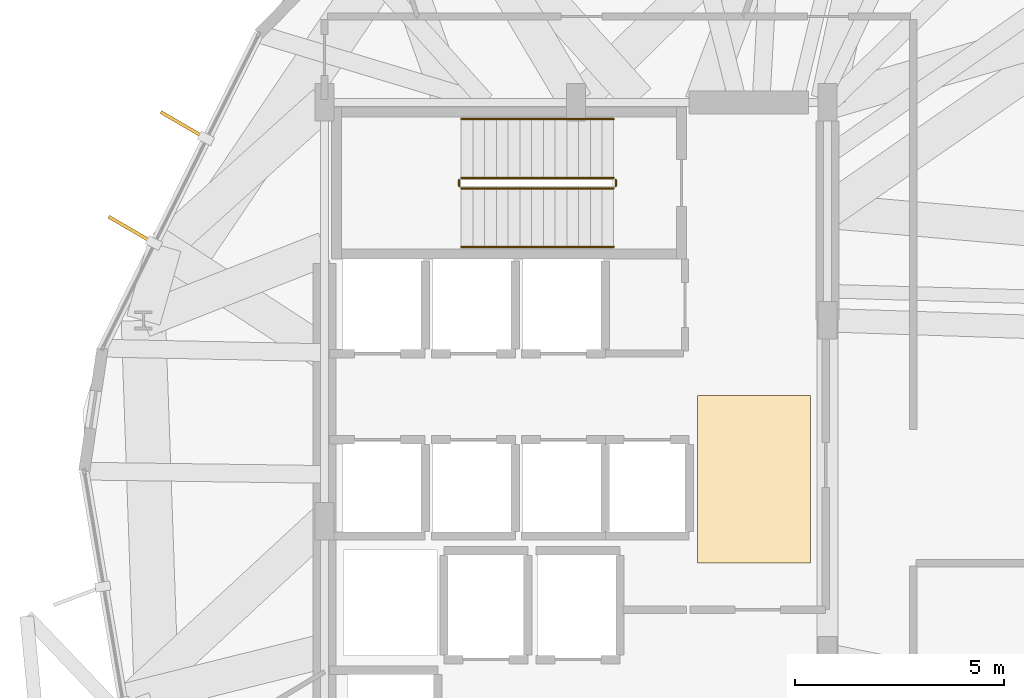
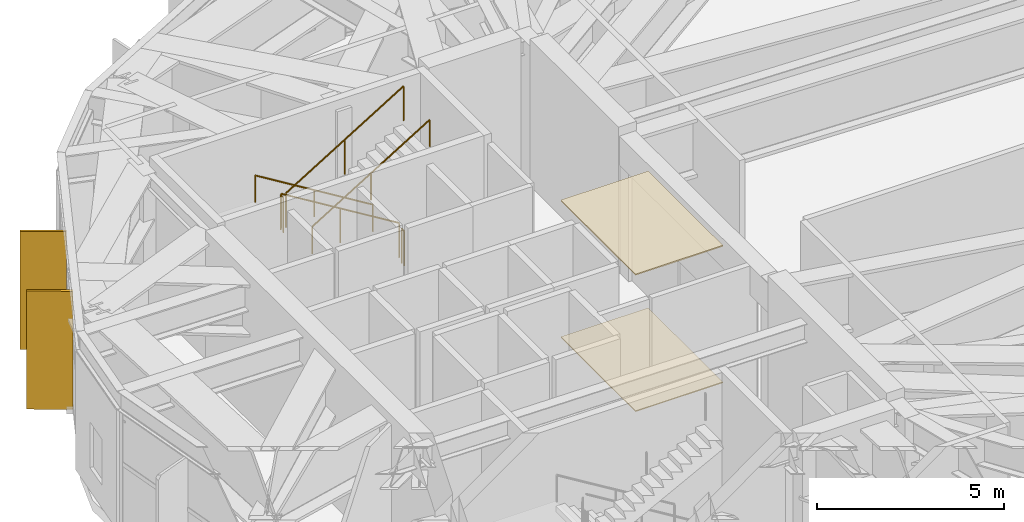
# One storey, part 26 of 27: 6 railings, 2 coverings, 2 shading devices.
"""IFC4 building model written with IfcOpenShell, lengths in metres."""

from ifc_helpers import new_model, si_unit, direction, frame, origin, origin_2d, place, context, subcontext, project, spatial, polyline, rectangle, circle, outline, extrude, material, layer, layer_set, type_object, element, save


model = new_model("IFC4")

# Units and contexts
model_context = context("Model", 3, precision=1e-05, world=origin(), true_north=direction((0.0, 1.0)))
body_context = subcontext(model_context, "Body", "Model", "MODEL_VIEW")
ifc_project = project(units=[si_unit("LENGTHUNIT", "METRE"), si_unit("AREAUNIT", "SQUARE_METRE"), si_unit("VOLUMEUNIT", "CUBIC_METRE"), si_unit("PLANEANGLEUNIT", "RADIAN"), si_unit("MASSUNIT", "GRAM", prefix="KILO")], contexts=[model_context])

# Site, building, storey
site_placement = place(None, origin())
site = spatial("IfcSite", under=ifc_project, at=site_placement, CompositionType="ELEMENT")
building_placement = place(site_placement, origin())
building = spatial("IfcBuilding", under=site, at=building_placement, Name="Soratama Intermodal Tower", CompositionType="ELEMENT")
storey_placement = place(building_placement, frame((0.0, 0.0, 134.199951171875)))
storey = spatial("IfcBuildingStorey", under=building, at=storey_placement, Name="L32", CompositionType="ELEMENT", Elevation=134.199951171875)

# Coverings
ifc_material_1 = material(Name="Perforated mineral acoustic ceiling", Category="concrete")
ifc_layer_1 = layer(ifc_material_1, 0.0400390625)
ifc_layer_set_1 = layer_set([ifc_layer_1], Name="Perforated mineral acoustic ceiling")
covering_type_1 = type_object("IfcCoveringType", Name="CV-CEIL-ACOUSTIC", PredefinedType="CEILING", material=ifc_layer_set_1)
covering_1_placement = place(storey_placement, frame((0.0, 0.0, 4.4599609375)))
element("IfcCovering", 1, at=covering_1_placement, inside=storey, type_object=covering_type_1, Name="L32 Acoustic Ceiling", PredefinedType="CEILING", context=body_context, shape_type="SweptSolid", body=[
    extrude(outline(polyline([(41.5, 24.0), (44.199951171875, 24.0), (44.199951171875, 28.0), (41.5, 28.0), (41.5, 24.0)])), origin(), (0.0, 0.0, 1.0), 0.0400390625),
])
ifc_material_2 = material(Name="Polished Andean stone terrazzo flooring", Category="masonry")
ifc_layer_2 = layer(ifc_material_2, 0.030029296875)
ifc_layer_set_2 = layer_set([ifc_layer_2], Name="Polished Andean stone terrazzo flooring")
covering_type_2 = type_object("IfcCoveringType", Name="CV-FLOR-TERRAZZO", PredefinedType="FLOORING", material=ifc_layer_set_2)
covering_2_placement = place(storey_placement, origin())
element("IfcCovering", 2, at=covering_2_placement, inside=storey, type_object=covering_type_2, Name="L32 Lobby Terrazzo Flooring", PredefinedType="FLOORING", context=body_context, shape_type="SweptSolid", body=[
    extrude(outline(polyline([(41.5, 24.0), (44.199951171875, 24.0), (44.199951171875, 28.0), (41.5, 28.0), (41.5, 24.0)])), origin(), (0.0, 0.0, 1.0), 0.030029296875),
])

# Railings
ifc_material_3 = material(Name="Painted steel stair guardrail", Category="steel")
railing_type_1 = type_object("IfcRailingType", Name="RL-STAIR-GUARD", PredefinedType="GUARDRAIL", material=ifc_material_3)
railing_1_placement = place(storey_placement, frame((39.5, 33.199951171875, 0.17138671875)))
element("IfcRailing", 3, at=railing_1_placement, inside=storey, type_object=railing_type_1, Name="L32 ST-2 stair guard 1", PredefinedType="GUARDRAIL", context=body_context, shape_type="SweptSolid", body=[
    extrude(circle(Radius=0.02392578125, at=origin_2d()), frame((0.0, 0.0, 1.1259765625), z_axis=(-0.852824790078, 0.0, 0.522197163366), x_axis=(0.0, -1.0, 0.0)), (0.0, 0.0, 1.0), 4.26806640625),
    extrude(circle(Radius=0.02099609375, at=origin_2d()), origin(), (0.0, 0.0, 1.0), 1.101806640625),
    extrude(circle(Radius=0.02099609375, at=origin_2d()), frame((-1.81982421875, 0.0, 1.1142578125)), (0.0, 0.0, 1.0), 1.101806640625),
    extrude(circle(Radius=0.02099609375, at=origin_2d()), frame((-3.639892578125, 0.0, 2.228759765625)), (0.0, 0.0, 1.0), 1.101806640625),
])
railing_2_placement = place(storey_placement, frame((35.81005859375, 33.14990234375, 2.400146484375)))
element("IfcRailing", 4, at=railing_2_placement, inside=storey, type_object=railing_type_1, Name="L32 ST-2 stair guard 2", PredefinedType="GUARDRAIL", context=body_context, shape_type="SweptSolid", body=[
    extrude(circle(Radius=0.02392578125, at=origin_2d()), frame((0.0, 0.0, 1.1259765625), z_axis=(0.0, -1.0, 0.0), x_axis=(1.0, 0.0, 0.0)), (0.0, 0.0, 1.0), 0.14990234375),
    extrude(circle(Radius=0.02099609375, at=origin_2d()), origin(), (0.0, 0.0, 1.0), 1.101806640625),
    extrude(circle(Radius=0.02099609375, at=origin_2d()), frame((0.0, -0.14990234375, 0.0)), (0.0, 0.0, 1.0), 1.101806640625),
])
railing_3_placement = place(storey_placement, frame((35.860107421875, 32.949951171875, 2.571533203125)))
element("IfcRailing", 5, at=railing_3_placement, inside=storey, type_object=railing_type_1, Name="L32 ST-2 stair guard 3", PredefinedType="GUARDRAIL", context=body_context, shape_type="SweptSolid", body=[
    extrude(circle(Radius=0.02392578125, at=origin_2d()), frame((0.0, 0.0, 1.1259765625), z_axis=(0.852850264322, 0.0, 0.5221555579), x_axis=(0.0, 1.0, 0.0)), (0.0, 0.0, 1.0), 4.267822265625),
    extrude(circle(Radius=0.02099609375, at=origin_2d()), origin(), (0.0, 0.0, 1.0), 1.101806640625),
    extrude(circle(Radius=0.02099609375, at=origin_2d()), frame((1.81982421875, 0.0, 1.1142578125)), (0.0, 0.0, 1.0), 1.101806640625),
    extrude(circle(Radius=0.02099609375, at=origin_2d()), frame((3.639892578125, 0.0, 2.228515625)), (0.0, 0.0, 1.0), 1.101806640625),
])
railing_4_placement = place(storey_placement, frame((39.550048828125, 33.14990234375, 0.0)))
element("IfcRailing", 6, at=railing_4_placement, inside=storey, type_object=railing_type_1, Name="L32 ST-2 stair guard 4", PredefinedType="GUARDRAIL", context=body_context, shape_type="SweptSolid", body=[
    extrude(circle(Radius=0.02392578125, at=origin_2d()), frame((0.0, 0.0, 1.1259765625), z_axis=(0.0, -1.0, 0.0), x_axis=(1.0, 0.0, 0.0)), (0.0, 0.0, 1.0), 0.14990234375),
    extrude(circle(Radius=0.02099609375, at=origin_2d()), origin(), (0.0, 0.0, 1.0), 1.101806640625),
    extrude(circle(Radius=0.02099609375, at=origin_2d()), frame((0.0, -0.14990234375, 0.0)), (0.0, 0.0, 1.0), 1.101806640625),
])
ifc_material_4 = material(Name="Brushed stainless steel handrail", Category="steel")
railing_type_2 = type_object("IfcRailingType", Name="RL-STAIR-HAND", PredefinedType="HANDRAIL", material=ifc_material_4)
railing_5_placement = place(storey_placement, frame((39.5, 34.60009765625, 0.17138671875)))
element("IfcRailing", 7, at=railing_5_placement, inside=storey, type_object=railing_type_2, Name="L32 ST-2 stair handrail 1", PredefinedType="HANDRAIL", context=body_context, shape_type="SweptSolid", body=[
    extrude(circle(Radius=0.02392578125, at=origin_2d()), frame((0.0, 0.0, 0.8759765625), z_axis=(-0.852824790078, 0.0, 0.522197163366), x_axis=(0.0, -1.0, 0.0)), (0.0, 0.0, 1.0), 4.26806640625),
    extrude(circle(Radius=0.02099609375, at=origin_2d()), origin(), (0.0, 0.0, 1.0), 0.851806640625),
    extrude(circle(Radius=0.02099609375, at=origin_2d()), frame((-1.81982421875, 0.0, 1.1142578125)), (0.0, 0.0, 1.0), 0.851806640625),
    extrude(circle(Radius=0.02099609375, at=origin_2d()), frame((-3.639892578125, 0.0, 2.228759765625)), (0.0, 0.0, 1.0), 0.851806640625),
])
railing_6_placement = place(storey_placement, frame((35.860107421875, 31.550048828125, 2.571533203125)))
element("IfcRailing", 8, at=railing_6_placement, inside=storey, type_object=railing_type_2, Name="L32 ST-2 stair handrail 2", PredefinedType="HANDRAIL", context=body_context, shape_type="SweptSolid", body=[
    extrude(circle(Radius=0.02392578125, at=origin_2d()), frame((0.0, 0.0, 0.8759765625), z_axis=(0.852850264322, 0.0, 0.5221555579), x_axis=(0.0, 1.0, 0.0)), (0.0, 0.0, 1.0), 4.267822265625),
    extrude(circle(Radius=0.02099609375, at=origin_2d()), origin(), (0.0, 0.0, 1.0), 0.851806640625),
    extrude(circle(Radius=0.02099609375, at=origin_2d()), frame((1.81982421875, 0.0, 1.1142578125)), (0.0, 0.0, 1.0), 0.851806640625),
    extrude(circle(Radius=0.02099609375, at=origin_2d()), frame((3.639892578125, 0.0, 2.228515625)), (0.0, 0.0, 1.0), 0.851806640625),
])

# Shading devices
ifc_material_5 = material(Name="Champagne anodised aluminium solar fin", Category="aluminium")
ifc_layer_3 = layer(ifc_material_5, 0.080078125)
ifc_layer_set_3 = layer_set([ifc_layer_3], Name="Champagne anodised aluminium solar fin")
shading_device_type = type_object("IfcShadingDeviceType", Name="SH-FIN-1250", PredefinedType="USERDEFINED", material=ifc_layer_set_3)
for number, where, z_axis, x_axis, name in (
    (9, (29.22802734375, 34.456298828125, 0.02001953125), (0.0, 0.0, 1.0), (-0.864186995248, 0.503170783377, 0.0), "L32 Solar Fin F04-1"),
    (10, (27.98388671875, 31.956787109375, 0.02001953125), (0.0, 0.0, 1.0), (-0.864186995248, 0.503170783377, 0.0), "L32 Solar Fin F04-2"),
):
    element("IfcShadingDevice", number, at=place(storey_placement, frame(where, z_axis=z_axis, x_axis=x_axis)), inside=storey, type_object=shading_device_type, Name=name, ObjectType="FIN", PredefinedType="USERDEFINED", context=body_context, shape_type="SweptSolid", body=[
        extrude(rectangle(XDim=1.25, YDim=0.080078125, at=origin_2d()), origin(), (0.0, 0.0, 1.0), 3.85888671875),
    ])

save(model, "model.ifc")
